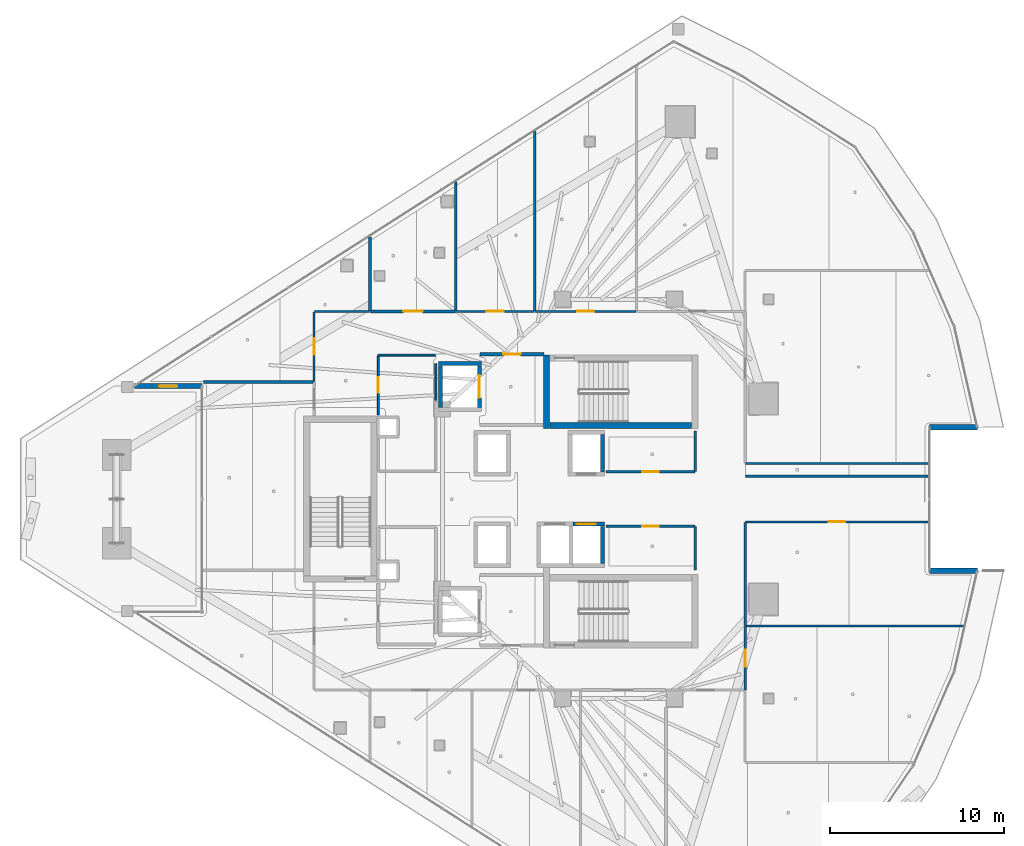
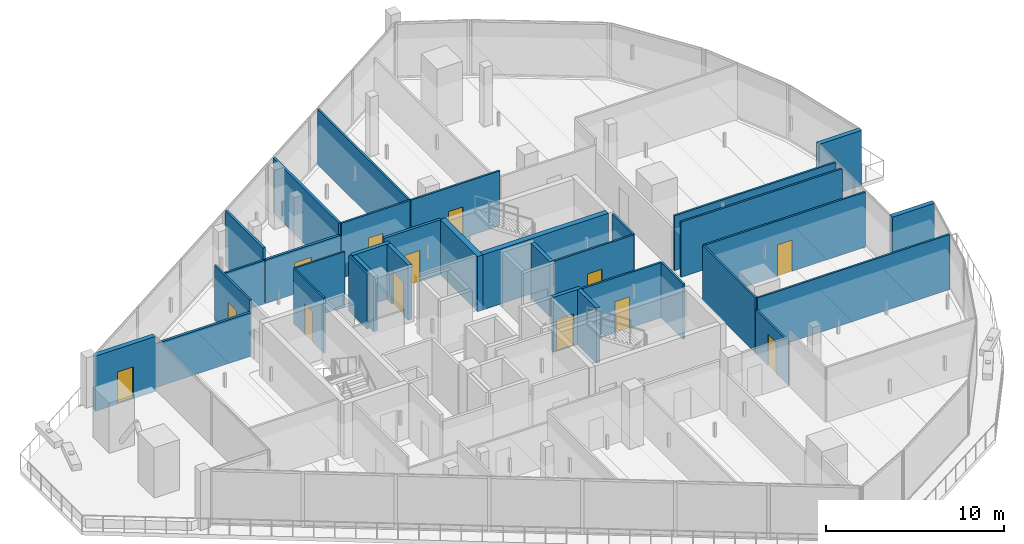
# One storey, part 22 of 32: 34 walls, 13 doors, 13 openings.
"""IFC4 building model written with IfcOpenShell, lengths in metres."""

import ifcopenshell
import ifcopenshell.guid

model = None  # the IFC model being written
_history = None  # IfcOwnerHistory: only IFC2X3 demands one
_inside = {}  # id of a spatial element -> (the spatial element, [elements in it])
_under = {}  # id of a project, library or spatial element -> (it, [spatial elements below it])
_declared = {}  # id of a project -> (the project, [libraries it declares])
_typed = {}  # id of a type object -> (the type object, [elements of that type])
_made_of = {}  # id of a material, layer set ... -> (it, [elements and type objects made of it])


def new_model(schema):
    """Start an empty IFC model of exactly this schema.

    Asked for "IFC4X3", IfcOpenShell would pick the latest addendum, in which some entities
    have other attributes; the version numbers below select the first issue.
    IFC2X3 requires an IfcOwnerHistory on every rooted entity: one is made here for all.
    """
    global model, _history
    if schema == "IFC4X3":
        model = ifcopenshell.file(schema_version=(4, 3, 0, 0))
    else:
        model = ifcopenshell.file(schema=schema)
    _inside.clear()
    _under.clear()
    _declared.clear()
    _typed.clear()
    _made_of.clear()
    _history = None
    if model.schema == "IFC2X3":
        org = make("IfcOrganization", Name="unknown")
        user = make(
            "IfcPersonAndOrganization",
            ThePerson=make("IfcPerson", FamilyName="unknown"),
            TheOrganization=org,
        )
        app = make(
            "IfcApplication",
            ApplicationDeveloper=org,
            Version="unknown",
            ApplicationFullName="unknown",
            ApplicationIdentifier="unknown",
        )
        _history = make(
            "IfcOwnerHistory",
            OwningUser=user,
            OwningApplication=app,
            ChangeAction="ADDED",
            CreationDate=0,
        )
    return model


def make(cls, **values):
    """One entity of the class cls with the attributes given. An attribute that is None is left unset."""
    return model.create_entity(
        cls, **{name: value for name, value in values.items() if value is not None}
    )


def rooted(cls, **values):
    """An entity with a GlobalId (a new one), such as an element, a storey or a relation."""
    return make(cls, GlobalId=ifcopenshell.guid.new(), OwnerHistory=_history, **values)


def si_unit(unit_type, name, prefix=None):
    """IfcSIUnit, for example si_unit("LENGTHUNIT", "METRE", prefix="MILLI")."""
    return make("IfcSIUnit", UnitType=unit_type, Prefix=prefix, Name=name)


def assignment(units):
    """IfcUnitAssignment: the units of a project."""
    return None if units is None else make("IfcUnitAssignment", Units=units)


def point(xyz):
    """IfcCartesianPoint."""
    return None if xyz is None else make("IfcCartesianPoint", Coordinates=xyz)


def direction(xyz):
    """IfcDirection."""
    return None if xyz is None else make("IfcDirection", DirectionRatios=xyz)


def frame(location, z_axis=None, x_axis=None):
    """IfcAxis2Placement3D, a coordinate frame: its origin and axes. An axis left out is left unset."""
    return make(
        "IfcAxis2Placement3D",
        Location=point(location),
        Axis=direction(z_axis),
        RefDirection=direction(x_axis),
    )


def frame_2d(location, x_axis=None):
    """IfcAxis2Placement2D, a coordinate frame in the plane: its origin and x axis."""
    return make(
        "IfcAxis2Placement2D", Location=point(location), RefDirection=direction(x_axis)
    )


def origin():
    """The frame at (0, 0, 0) with its axes left unset."""
    return frame((0.0, 0.0, 0.0))


def place(relative_to, where):
    """IfcLocalPlacement: puts the frame where relative to a parent placement (None: the world)."""
    return make(
        "IfcLocalPlacement", PlacementRelTo=relative_to, RelativePlacement=where
    )


def context(
    kind, dimensions, precision=None, world=None, true_north=None, identifier=None
):
    """IfcGeometricRepresentationContext, for example the 3D "Model" context."""
    return make(
        "IfcGeometricRepresentationContext",
        ContextIdentifier=identifier,
        ContextType=kind,
        CoordinateSpaceDimension=dimensions,
        Precision=precision,
        WorldCoordinateSystem=world,
        TrueNorth=true_north,
    )


def subcontext(parent, identifier, kind, view, scale=None):
    """IfcGeometricRepresentationSubContext, for example "Body" below "Model"."""
    return make(
        "IfcGeometricRepresentationSubContext",
        ContextIdentifier=identifier,
        ContextType=kind,
        ParentContext=parent,
        TargetScale=scale,
        TargetView=view,
    )


def project(units=None, contexts=None):
    """IfcProject with its units and contexts."""
    return rooted(
        "IfcProject",
        Name="project",
        RepresentationContexts=contexts,
        UnitsInContext=assignment(units),
    )


def spatial(cls, under=None, at=None, **own):
    """A site, building, storey or space (cls), placed at a placement, below another one or the project."""
    s = rooted(cls, ObjectPlacement=at, **own)
    if under is not None:
        _under.setdefault(under.id(), (under, []))[1].append(s)
    return s


def profile(cls, at=None, kind="AREA", **sizes):
    """A parametric profile (cls). Its sizes go by their IFC names, for example OverallWidth=200.0."""
    return make(cls, ProfileType=kind, Position=at, **sizes)


def rectangle(**sizes):
    """IfcRectangleProfileDef."""
    return profile("IfcRectangleProfileDef", **sizes)


def extrude(swept, where, along, depth):
    """IfcExtrudedAreaSolid: the profile swept, set in the frame where, extruded along a direction by depth."""
    return make(
        "IfcExtrudedAreaSolid",
        SweptArea=swept,
        Position=where,
        ExtrudedDirection=direction(along),
        Depth=depth,
    )


def shape(context_of_items, identifier, shape_type, items):
    """IfcShapeRepresentation: the items that make up one representation, for example the "Body"."""
    return make(
        "IfcShapeRepresentation",
        ContextOfItems=context_of_items,
        RepresentationIdentifier=identifier,
        RepresentationType=shape_type,
        Items=items,
    )


def material(Name=None, Category=None):
    """IfcMaterial."""
    return make("IfcMaterial", Name=Name, Category=Category)


def layer(
    of_material, thickness, ventilated=None, Name=None, Category=None, Priority=None
):
    """IfcMaterialLayer: one layer of a wall or slab, of a material (None: an air gap)."""
    return make(
        "IfcMaterialLayer",
        Material=of_material,
        LayerThickness=thickness,
        IsVentilated=ventilated,
        Name=Name,
        Category=Category,
        Priority=Priority,
    )


def layer_set(layers, Name=None):
    """IfcMaterialLayerSet."""
    return make("IfcMaterialLayerSet", MaterialLayers=layers, LayerSetName=Name)


def made_of(thing, what):
    """Note that an element or type object is made of a material, layer set ...; save() writes the relation."""
    if what is not None:
        _made_of.setdefault(what.id(), (what, []))[1].append(thing)
    return thing


def type_object(cls, material=None, **own):
    """A type object (cls), such as IfcWallType, which elements share."""
    return made_of(rooted(cls, **own), material)


def element(
    cls,
    number,
    at=None,
    inside=None,
    cuts=None,
    type_object=None,
    material=None,
    context=None,
    identifier="Body",
    shape_type=None,
    held_by="IfcProductDefinitionShape",
    body=None,
    shapes=None,
    **own,
):
    """One element of the class cls, such as IfcWall. Its Tag is "e" and its number.

    at: its placement. inside: the storey or other place that contains it. cuts: it is an
    opening in that element (IfcRelVoidsElement). A single representation is given by context,
    identifier, shape_type and body (its items); several are given by shapes. held_by: the class
    of the entity that holds the representations. save() writes the other relations.
    """
    e = rooted(cls, Tag="e%d" % number, ObjectPlacement=at, **own)
    if body is not None:
        shapes = [shape(context, identifier, shape_type, body)]
    if shapes is not None:
        e.Representation = make(held_by, Representations=shapes)
    if inside is not None:
        _inside.setdefault(inside.id(), (inside, []))[1].append(e)
    if cuts is not None:
        rooted(
            "IfcRelVoidsElement", RelatingBuildingElement=cuts, RelatedOpeningElement=e
        )
    if type_object is not None:
        _typed.setdefault(type_object.id(), (type_object, []))[1].append(e)
    return made_of(e, material)


def fill(opening, filler):
    """IfcRelFillsElement: the door or window that sits in an opening."""
    return rooted(
        "IfcRelFillsElement",
        RelatingOpeningElement=opening,
        RelatedBuildingElement=filler,
    )


def aggregate(whole, parts):
    """IfcRelAggregates: a whole, such as a stair, and the parts it consists of."""
    return rooted("IfcRelAggregates", RelatingObject=whole, RelatedObjects=parts)


def save(model, path):
    """Write the relations noted so far, then the file.

    IfcRelAggregates (storeys below a building ...), IfcRelContainedInSpatialStructure (elements
    in a storey), IfcRelDefinesByType, IfcRelAssociatesMaterial and IfcRelDeclares: one each for
    every whole, place, type object, material and project.
    """
    for whole, parts in _under.values():
        aggregate(whole, parts)
    for where, things in _inside.values():
        rooted(
            "IfcRelContainedInSpatialStructure",
            RelatedElements=things,
            RelatingStructure=where,
        )
    for kind, things in _typed.values():
        rooted("IfcRelDefinesByType", RelatedObjects=things, RelatingType=kind)
    for what, things in _made_of.values():
        rooted("IfcRelAssociatesMaterial", RelatedObjects=things, RelatingMaterial=what)
    for by, libraries in _declared.values():
        rooted("IfcRelDeclares", RelatingContext=by, RelatedDefinitions=libraries)
    model.write(path)


model = new_model("IFC4")

# Units and contexts
model_context = context("Model", 3, precision=1e-05, world=origin(), true_north=direction((0.0, 1.0)))
body_context = subcontext(model_context, "Body", "Model", "MODEL_VIEW")
ifc_project = project(units=[si_unit("LENGTHUNIT", "METRE"), si_unit("AREAUNIT", "SQUARE_METRE"), si_unit("VOLUMEUNIT", "CUBIC_METRE"), si_unit("PLANEANGLEUNIT", "RADIAN"), si_unit("MASSUNIT", "GRAM", prefix="KILO")], contexts=[model_context])

# Site, building, storey
site_placement = place(None, origin())
site = spatial("IfcSite", under=ifc_project, at=site_placement, CompositionType="ELEMENT")
building_placement = place(site_placement, origin())
building = spatial("IfcBuilding", under=site, at=building_placement, Name="Qorvath Tower", CompositionType="ELEMENT")
storey_placement = place(building_placement, frame((0.0, 0.0, 233.39990234375)))
storey = spatial("IfcBuildingStorey", under=building, at=storey_placement, Name="L54", CompositionType="ELEMENT", Elevation=233.39990234375)

# Wall, opening, door
ifc_material_1 = material(Name="Gypsum shaftliner on steel studs", Category="steel")
ifc_layer_1 = layer(ifc_material_1, 0.179931640625)
ifc_layer_set_1 = layer_set([ifc_layer_1], Name="FW-LOBBY")
wall_type_1 = type_object("IfcWallType", Name="FW-LOBBY", PredefinedType="PARTITIONING", material=ifc_layer_set_1)
wall_1_placement = place(storey_placement, frame((-24.68408203125, 8.300048828125, 0.0), z_axis=(0.0, 0.0, 1.0), x_axis=(-1.0, 0.0, 0.0)))
wall_1 = element("IfcWall", 1, at=wall_1_placement, inside=storey, type_object=wall_type_1, Name="Interior Partition IW-T1-L54-002", PredefinedType="PARTITIONING", context=body_context, shape_type="SweptSolid", body=[
    extrude(rectangle(XDim=3.6708984375, YDim=0.179931640625, at=frame_2d((1.83544921875, 0.0))), origin(), (0.0, 0.0, 1.0), 3.780029296875),
])
opening_1_placement = place(wall_1_placement, frame((1.33544921875, 0.0, 0.0)))
opening_1 = element("IfcOpeningElement", 2, at=opening_1_placement, cuts=wall_1, Name="Opening D-T1-L54-19", PredefinedType="OPENING", context=body_context, shape_type="SweptSolid", body=[
    extrude(rectangle(XDim=1.0, YDim=2.14990234375, at=frame_2d((0.5, 1.074951171875))), frame((0.0, 0.10009765625, 0.0), z_axis=(0.0, -1.0, 0.0), x_axis=(1.0, 0.0, 0.0)), (0.0, 0.0, 1.0), 0.199951171875),
])
ifc_material_2 = material(Name="Painted galvanised hollow metal", Category="steel")
door_type_1 = type_object("IfcDoorType", Name="FD-60", OperationType="NOTDEFINED", PredefinedType="DOOR", material=ifc_material_2)
door_1_placement = place(opening_1_placement, origin())
door_1 = element("IfcDoor", 3, at=door_1_placement, inside=storey, type_object=door_type_1, Name="Lobby Fire Service Elevator North Door D-T1-L54-19", OperationType="SINGLE_SWING_RIGHT", OverallHeight=2.14990234375, OverallWidth=1.0, PredefinedType="DOOR", context=body_context, shape_type="SweptSolid", body=[
    extrude(rectangle(XDim=1.0, YDim=2.14990234375, at=frame_2d((0.5, 1.074951171875))), frame((0.0, 0.02490234375, 0.0), z_axis=(0.0, -1.0, 0.0), x_axis=(1.0, 0.0, 0.0)), (0.0, 0.0, 1.0), 0.050048828125),
])
fill(opening_1, door_1)

ifc_material_3 = material(Name="Double acoustic gypsum board on steel studs", Category="steel")
ifc_layer_2 = layer(ifc_material_3, 0.159912109375)
ifc_layer_set_2 = layer_set([ifc_layer_2], Name="IW-ACOUSTIC-160")
wall_type_2 = type_object("IfcWallType", Name="IW-ACOUSTIC-160", PredefinedType="PARTITIONING", material=ifc_layer_set_2)
wall_2_placement = place(storey_placement, frame((-34.625, 10.758056640625, 0.0), z_axis=(0.0, 0.0, 1.0), x_axis=(1.0, 0.0, 0.0)))
wall_2 = element("IfcWall", 4, at=wall_2_placement, inside=storey, type_object=wall_type_2, Name="Interior Partition IW-T1-L54-021", PredefinedType="PARTITIONING", context=body_context, shape_type="SweptSolid", body=[
    extrude(rectangle(XDim=4.861083984375, YDim=0.159912109375, at=frame_2d((2.4306640625, 0.0))), origin(), (0.0, 0.0, 1.0), 3.0),
])
opening_2_placement = place(wall_2_placement, frame((1.880615234375, 0.0, 0.0)))
opening_2 = element("IfcOpeningElement", 5, at=opening_2_placement, cuts=wall_2, Name="Opening D-T1-L54-05", PredefinedType="OPENING", context=body_context, shape_type="SweptSolid", body=[
    extrude(rectangle(XDim=1.10009765625, YDim=2.14990234375, at=frame_2d((0.550048828125, 1.074951171875))), frame((0.0, 0.08984375, 0.0), z_axis=(0.0, -1.0, 0.0), x_axis=(1.0, 0.0, 0.0)), (0.0, 0.0, 1.0), 0.179931640625),
])
ifc_material_4 = material(Name="Anodised aluminium acoustic framed glass", Category="aluminium")
door_type_2 = type_object("IfcDoorType", Name="D-03", OperationType="NOTDEFINED", PredefinedType="DOOR", material=ifc_material_4)
door_2_placement = place(opening_2_placement, origin())
door_2 = element("IfcDoor", 6, at=door_2_placement, inside=storey, type_object=door_type_2, Name="L54-01 Client Services Office Door D-T1-L54-05", OperationType="SINGLE_SWING_RIGHT", OverallHeight=2.14990234375, OverallWidth=1.10009765625, PredefinedType="DOOR", context=body_context, shape_type="SweptSolid", body=[
    extrude(rectangle(XDim=1.10009765625, YDim=2.14990234375, at=frame_2d((0.550048828125, 1.074951171875))), frame((0.0, 0.02490234375, 0.0), z_axis=(0.0, -1.0, 0.0), x_axis=(1.0, 0.0, 0.0)), (0.0, 0.0, 1.0), 0.050048828125),
])
fill(opening_2, door_2)

# Walls
wall_3_placement = place(storey_placement, frame((-29.73876953125, 10.783203125, 0.0), z_axis=(0.0, 0.0, 1.0), x_axis=(0.0, 1.0, 0.0)))
element("IfcWall", 7, at=wall_3_placement, inside=storey, type_object=wall_type_2, Name="Interior Partition IW-T1-L54-022", PredefinedType="PARTITIONING", context=body_context, shape_type="SweptSolid", body=[
    extrude(rectangle(XDim=7.388671875, YDim=0.159912109375, at=frame_2d((3.6943359375, 0.0))), origin(), (0.0, 0.0, 1.0), 3.780029296875),
])
wall_4_placement = place(storey_placement, frame((-34.64990234375, 15.032958984375, 0.0), z_axis=(0.0, 0.0, 1.0), x_axis=(0.0, -1.0, 0.0)))
element("IfcWall", 8, at=wall_4_placement, inside=storey, type_object=wall_type_2, Name="Interior Partition IW-T1-L54-023", PredefinedType="PARTITIONING", context=body_context, shape_type="SweptSolid", body=[
    extrude(rectangle(XDim=4.249755859375, YDim=0.159912109375, at=frame_2d((2.125, 0.0))), origin(), (0.0, 0.0, 1.0), 3.780029296875),
])
wall_5_placement = place(storey_placement, frame((-37.8828125, 6.716064453125, 0.0), z_axis=(0.0, 0.0, 1.0), x_axis=(-1.0, 0.0, 0.0)))
element("IfcWall", 9, at=wall_5_placement, inside=storey, type_object=wall_type_2, Name="Interior Partition IW-T1-L54-053", PredefinedType="PARTITIONING", context=body_context, shape_type="SweptSolid", body=[
    extrude(rectangle(XDim=6.307373046875, YDim=0.159912109375, at=frame_2d((3.15380859375, 0.0))), origin(), (0.0, 0.0, 1.0), 3.0),
])

# Wall, opening, door
ifc_material_5 = material(Name="Gypsum board on metal studs with mineral wool", Category="gypsum")
ifc_layer_3 = layer(ifc_material_5, 0.125)
ifc_layer_set_3 = layer_set([ifc_layer_3], Name="IW-PART-125")
wall_type_3 = type_object("IfcWallType", Name="IW-PART-125", PredefinedType="PARTITIONING", material=ifc_layer_set_3)
wall_6_placement = place(storey_placement, frame((-21.1337890625, 1.56005859375, 0.0), z_axis=(0.0, 0.0, 1.0), x_axis=(1.0, 0.0, 0.0)))
wall_6 = element("IfcWall", 10, at=wall_6_placement, inside=storey, type_object=wall_type_3, Name="Interior Partition IW-T1-L54-011", PredefinedType="PARTITIONING", context=body_context, shape_type="SweptSolid", body=[
    extrude(rectangle(XDim=5.10888671875, YDim=0.125, at=frame_2d((2.554443359375, 0.0))), origin(), (0.0, 0.0, 1.0), 3.780029296875),
])
opening_3_placement = place(wall_6_placement, frame((2.079345703125, 0.0, 0.0)))
opening_3 = element("IfcOpeningElement", 11, at=opening_3_placement, cuts=wall_6, Name="Opening D-T1-L54-02", PredefinedType="OPENING", context=body_context, shape_type="SweptSolid", body=[
    extrude(rectangle(XDim=0.949951171875, YDim=2.14990234375, at=frame_2d((0.47509765625, 1.074951171875))), frame((0.0, 0.072509765625, 0.0), z_axis=(0.0, -1.0, 0.0), x_axis=(1.0, 0.0, 0.0)), (0.0, 0.0, 1.0), 0.14501953125),
])
ifc_material_6 = material(Name="Solid-core American white oak veneer", Category="wood")
door_type_3 = type_object("IfcDoorType", Name="D-01", OperationType="NOTDEFINED", PredefinedType="DOOR", material=ifc_material_6)
door_3_placement = place(opening_3_placement, origin())
door_3 = element("IfcDoor", 12, at=door_3_placement, inside=storey, type_object=door_type_3, Name="L54-RCN North Quantitative Server Suite Door D-T1-L54-02", OperationType="SINGLE_SWING_LEFT", OverallHeight=2.14990234375, OverallWidth=0.949951171875, PredefinedType="DOOR", context=body_context, shape_type="SweptSolid", body=[
    extrude(rectangle(XDim=0.949951171875, YDim=2.14990234375, at=frame_2d((0.47509765625, 1.074951171875))), frame((0.0, 0.02490234375, 0.0), z_axis=(0.0, -1.0, 0.0), x_axis=(1.0, 0.0, 0.0)), (0.0, 0.0, 1.0), 0.050048828125),
])
fill(opening_3, door_3)

# Walls
wall_7_placement = place(storey_placement, frame((-16.0, 1.585205078125, 0.0), z_axis=(0.0, 0.0, 1.0), x_axis=(0.0, 1.0, 0.0)))
element("IfcWall", 13, at=wall_7_placement, inside=storey, type_object=wall_type_3, Name="Interior Partition IW-T1-L54-012", PredefinedType="PARTITIONING", context=body_context, shape_type="SweptSolid", body=[
    extrude(rectangle(XDim=2.30224609375, YDim=0.125, at=frame_2d((1.151123046875, 0.0))), origin(), (0.0, 0.0, 1.0), 3.780029296875),
])
wall_8_placement = place(storey_placement, frame((-16.0, -4.0751953125, 0.0), z_axis=(0.0, 0.0, 1.0), x_axis=(0.0, 1.0, 0.0)))
element("IfcWall", 14, at=wall_8_placement, inside=storey, type_object=wall_type_3, Name="Interior Partition IW-T1-L54-013", PredefinedType="PARTITIONING", context=body_context, shape_type="SweptSolid", body=[
    extrude(rectangle(XDim=2.489990234375, YDim=0.125, at=frame_2d((1.2451171875, 0.0))), origin(), (0.0, 0.0, 1.0), 3.780029296875),
])

# Wall, opening, door
wall_9_placement = place(storey_placement, frame((-16.02490234375, -1.56005859375, 0.0), z_axis=(0.0, 0.0, 1.0), x_axis=(-1.0, 0.0, 0.0)))
wall_9 = element("IfcWall", 15, at=wall_9_placement, inside=storey, type_object=wall_type_3, Name="Interior Partition IW-T1-L54-014", PredefinedType="PARTITIONING", context=body_context, shape_type="SweptSolid", body=[
    extrude(rectangle(XDim=5.10888671875, YDim=0.125, at=frame_2d((2.554443359375, 0.0))), origin(), (0.0, 0.0, 1.0), 3.780029296875),
])
opening_4_placement = place(wall_9_placement, frame((2.079345703125, 0.0, 0.0)))
opening_4 = element("IfcOpeningElement", 16, at=opening_4_placement, cuts=wall_9, Name="Opening D-T1-L54-03", PredefinedType="OPENING", context=body_context, shape_type="SweptSolid", body=[
    extrude(rectangle(XDim=0.949951171875, YDim=2.14990234375, at=frame_2d((0.47509765625, 1.074951171875))), frame((0.0, 0.072509765625, 0.0), z_axis=(0.0, -1.0, 0.0), x_axis=(1.0, 0.0, 0.0)), (0.0, 0.0, 1.0), 0.14501953125),
])
door_4_placement = place(opening_4_placement, origin())
door_4 = element("IfcDoor", 17, at=door_4_placement, inside=storey, type_object=door_type_3, Name="L54-RCS South Quantitative Server Suite Door D-T1-L54-03", OperationType="SINGLE_SWING_RIGHT", OverallHeight=2.14990234375, OverallWidth=0.949951171875, PredefinedType="DOOR", context=body_context, shape_type="SweptSolid", body=[
    extrude(rectangle(XDim=0.949951171875, YDim=2.14990234375, at=frame_2d((0.47509765625, 1.074951171875))), frame((0.0, 0.02490234375, 0.0), z_axis=(0.0, -1.0, 0.0), x_axis=(1.0, 0.0, 0.0)), (0.0, 0.0, 1.0), 0.050048828125),
])
fill(opening_4, door_4)

wall_10_placement = place(storey_placement, frame((-29.7060546875, 10.758056640625, 0.0), z_axis=(0.0, 0.0, 1.0), x_axis=(1.0, 0.0, 0.0)))
wall_10 = element("IfcWall", 18, at=wall_10_placement, inside=storey, type_object=wall_type_3, Name="Interior Partition IW-T1-L54-024", PredefinedType="PARTITIONING", context=body_context, shape_type="SweptSolid", body=[
    extrude(rectangle(XDim=4.46826171875, YDim=0.125, at=frame_2d((2.234130859375, 0.0))), origin(), (0.0, 0.0, 1.0), 3.780029296875),
])
opening_5_placement = place(wall_10_placement, frame((1.759033203125, 0.0, 0.0)))
opening_5 = element("IfcOpeningElement", 19, at=opening_5_placement, cuts=wall_10, Name="Opening D-T1-L54-06", PredefinedType="OPENING", context=body_context, shape_type="SweptSolid", body=[
    extrude(rectangle(XDim=0.949951171875, YDim=2.14990234375, at=frame_2d((0.47509765625, 1.074951171875))), frame((0.0, 0.072509765625, 0.0), z_axis=(0.0, -1.0, 0.0), x_axis=(1.0, 0.0, 0.0)), (0.0, 0.0, 1.0), 0.14501953125),
])
door_5_placement = place(opening_5_placement, origin())
door_5 = element("IfcDoor", 20, at=door_5_placement, inside=storey, type_object=door_type_3, Name="L54-02 Project Collaboration Workspace Door D-T1-L54-06", OperationType="SINGLE_SWING_LEFT", OverallHeight=2.14990234375, OverallWidth=0.949951171875, PredefinedType="DOOR", context=body_context, shape_type="SweptSolid", body=[
    extrude(rectangle(XDim=0.949951171875, YDim=2.14990234375, at=frame_2d((0.47509765625, 1.074951171875))), frame((0.0, 0.02490234375, 0.0), z_axis=(0.0, -1.0, 0.0), x_axis=(1.0, 0.0, 0.0)), (0.0, 0.0, 1.0), 0.050048828125),
])
fill(opening_5, door_5)

# Wall
wall_11_placement = place(storey_placement, frame((-25.212890625, 10.783203125, 0.0), z_axis=(0.0, 0.0, 1.0), x_axis=(0.0, 1.0, 0.0)))
element("IfcWall", 21, at=wall_11_placement, inside=storey, type_object=wall_type_3, Name="Interior Partition IW-T1-L54-025", PredefinedType="PARTITIONING", context=body_context, shape_type="SweptSolid", body=[
    extrude(rectangle(XDim=10.28125, YDim=0.125, at=frame_2d((5.140625, 0.0))), origin(), (0.0, 0.0, 1.0), 3.780029296875),
])

# Wall, opening, door
wall_12_placement = place(storey_placement, frame((-25.1796875, 10.758056640625, 0.0), z_axis=(0.0, 0.0, 1.0), x_axis=(1.0, 0.0, 0.0)))
wall_12 = element("IfcWall", 22, at=wall_12_placement, inside=storey, type_object=wall_type_3, Name="Interior Partition IW-T1-L54-026", PredefinedType="PARTITIONING", context=body_context, shape_type="SweptSolid", body=[
    extrude(rectangle(XDim=5.78076171875, YDim=0.125, at=frame_2d((2.890380859375, 0.0))), origin(), (0.0, 0.0, 1.0), 3.780029296875),
])
opening_6_placement = place(wall_12_placement, frame((2.415283203125, 0.0, 0.0)))
opening_6 = element("IfcOpeningElement", 23, at=opening_6_placement, cuts=wall_12, Name="Opening D-T1-L54-07", PredefinedType="OPENING", context=body_context, shape_type="SweptSolid", body=[
    extrude(rectangle(XDim=0.949951171875, YDim=2.14990234375, at=frame_2d((0.47509765625, 1.074951171875))), frame((0.0, 0.072509765625, 0.0), z_axis=(0.0, -1.0, 0.0), x_axis=(1.0, 0.0, 0.0)), (0.0, 0.0, 1.0), 0.14501953125),
])
door_6_placement = place(opening_6_placement, origin())
door_6 = element("IfcDoor", 24, at=door_6_placement, inside=storey, type_object=door_type_3, Name="L54-03 Staff Wellness Studio Door D-T1-L54-07", OperationType="SINGLE_SWING_RIGHT", OverallHeight=2.14990234375, OverallWidth=0.949951171875, PredefinedType="DOOR", context=body_context, shape_type="SweptSolid", body=[
    extrude(rectangle(XDim=0.949951171875, YDim=2.14990234375, at=frame_2d((0.47509765625, 1.074951171875))), frame((0.0, 0.02490234375, 0.0), z_axis=(0.0, -1.0, 0.0), x_axis=(1.0, 0.0, 0.0)), (0.0, 0.0, 1.0), 0.050048828125),
])
fill(opening_6, door_6)

# Wall
wall_13_placement = place(storey_placement, frame((-0.63232421875, -7.276611328125, 0.0), z_axis=(0.0, 0.0, 1.0), x_axis=(-1.0, 0.0, 0.0)))
element("IfcWall", 25, at=wall_13_placement, inside=storey, type_object=wall_type_3, Name="Interior Partition IW-T1-L54-042", PredefinedType="PARTITIONING", context=body_context, shape_type="SweptSolid", body=[
    extrude(rectangle(XDim=12.48486328125, YDim=0.125, at=frame_2d((6.242431640625, 0.0))), origin(), (0.0, 0.0, 1.0), 3.780029296875),
])

# Wall, opening, door
wall_14_placement = place(storey_placement, frame((-13.14208984375, -7.301513671875, 0.0), z_axis=(0.0, 0.0, 1.0), x_axis=(0.0, -1.0, 0.0)))
wall_14 = element("IfcWall", 26, at=wall_14_placement, inside=storey, type_object=wall_type_3, Name="Interior Partition IW-T1-L54-043", PredefinedType="PARTITIONING", context=body_context, shape_type="SweptSolid", body=[
    extrude(rectangle(XDim=3.656494140625, YDim=0.125, at=frame_2d((1.828125, 0.0))), origin(), (0.0, 0.0, 1.0), 3.0),
])
opening_7_placement = place(wall_14_placement, frame((1.353271484375, 0.0, 0.0)))
opening_7 = element("IfcOpeningElement", 27, at=opening_7_placement, cuts=wall_14, Name="Opening D-T1-L54-13", PredefinedType="OPENING", context=body_context, shape_type="SweptSolid", body=[
    extrude(rectangle(XDim=0.949951171875, YDim=2.14990234375, at=frame_2d((0.47509765625, 1.074951171875))), frame((0.0, 0.072509765625, 0.0), z_axis=(0.0, -1.0, 0.0), x_axis=(1.0, 0.0, 0.0)), (0.0, 0.0, 1.0), 0.14501953125),
])
door_7_placement = place(opening_7_placement, origin())
door_7 = element("IfcDoor", 28, at=door_7_placement, inside=storey, type_object=door_type_3, Name="L54-09 Engineering Documentation Suite Door D-T1-L54-13", OperationType="SINGLE_SWING_RIGHT", OverallHeight=2.14990234375, OverallWidth=0.949951171875, PredefinedType="DOOR", context=body_context, shape_type="SweptSolid", body=[
    extrude(rectangle(XDim=0.949951171875, YDim=2.14990234375, at=frame_2d((0.47509765625, 1.074951171875))), frame((0.0, 0.02490234375, 0.0), z_axis=(0.0, -1.0, 0.0), x_axis=(1.0, 0.0, 0.0)), (0.0, 0.0, 1.0), 0.050048828125),
])
fill(opening_7, door_7)

# Walls
for number, where, z_axis, x_axis, name in (
    (29, (-2.655517578125, 2.0380859375, 0.0), (0.0, 0.0, 1.0), (-1.0, 0.0, 0.0), "Interior Partition IW-T1-L54-044"),
    (30, (-2.655517578125, 1.30810546875, 0.0), (0.0, 0.0, 1.0), (-1.0, 0.0, 0.0), "Interior Partition IW-T1-L54-045"),
):
    element("IfcWall", number, at=place(storey_placement, frame(where, z_axis=z_axis, x_axis=x_axis)), inside=storey, type_object=wall_type_3, Name=name, PredefinedType="PARTITIONING", context=body_context, shape_type="SweptSolid", body=[
        extrude(rectangle(XDim=10.461669921875, YDim=0.125, at=frame_2d((5.23095703125, 0.0))), origin(), (0.0, 0.0, 1.0), 3.780029296875),
    ])

# Wall, opening, door
wall_15_placement = place(storey_placement, frame((-2.655517578125, -1.30810546875, 0.0), z_axis=(0.0, 0.0, 1.0), x_axis=(-1.0, 0.0, 0.0)))
wall_15 = element("IfcWall", 31, at=wall_15_placement, inside=storey, type_object=wall_type_3, Name="Interior Partition IW-T1-L54-046", PredefinedType="PARTITIONING", context=body_context, shape_type="SweptSolid", body=[
    extrude(rectangle(XDim=10.461669921875, YDim=0.125, at=frame_2d((5.23095703125, 0.0))), origin(), (0.0, 0.0, 1.0), 3.780029296875),
])
opening_8_placement = place(wall_15_placement, frame((4.755859375, 0.0, 0.0)))
opening_8 = element("IfcOpeningElement", 32, at=opening_8_placement, cuts=wall_15, Name="Opening D-T1-L54-14", PredefinedType="OPENING", context=body_context, shape_type="SweptSolid", body=[
    extrude(rectangle(XDim=0.949951171875, YDim=2.14990234375, at=frame_2d((0.47509765625, 1.074951171875))), frame((0.0, 0.072509765625, 0.0), z_axis=(0.0, -1.0, 0.0), x_axis=(1.0, 0.0, 0.0)), (0.0, 0.0, 1.0), 0.14501953125),
])
door_8_placement = place(opening_8_placement, origin())
door_8 = element("IfcDoor", 33, at=door_8_placement, inside=storey, type_object=door_type_3, Name="L54-10 Open Workplace Studio Door D-T1-L54-14", OperationType="SINGLE_SWING_LEFT", OverallHeight=2.14990234375, OverallWidth=0.949951171875, PredefinedType="DOOR", context=body_context, shape_type="SweptSolid", body=[
    extrude(rectangle(XDim=0.949951171875, YDim=2.14990234375, at=frame_2d((0.47509765625, 1.074951171875))), frame((0.0, 0.02490234375, 0.0), z_axis=(0.0, -1.0, 0.0), x_axis=(1.0, 0.0, 0.0)), (0.0, 0.0, 1.0), 0.050048828125),
])
fill(opening_8, door_8)

# Walls
wall_16_placement = place(storey_placement, frame((-13.14208984375, -1.3330078125, 0.0), z_axis=(0.0, 0.0, 1.0), x_axis=(0.0, -1.0, 0.0)))
element("IfcWall", 34, at=wall_16_placement, inside=storey, type_object=wall_type_3, Name="Interior Partition IW-T1-L54-047", PredefinedType="PARTITIONING", context=body_context, shape_type="SweptSolid", body=[
    extrude(rectangle(XDim=5.91064453125, YDim=0.125, at=frame_2d((2.955322265625, 0.0))), origin(), (0.0, 0.0, 1.0), 3.780029296875),
])
wall_17_placement = place(storey_placement, frame((-34.68310546875, 10.758056640625, 0.0), z_axis=(0.0, 0.0, 1.0), x_axis=(-1.0, 0.0, 0.0)))
element("IfcWall", 35, at=wall_17_placement, inside=storey, type_object=wall_type_3, Name="Interior Partition IW-T1-L54-054", PredefinedType="PARTITIONING", context=body_context, shape_type="SweptSolid", body=[
    extrude(rectangle(XDim=3.14990234375, YDim=0.125, at=frame_2d((1.574951171875, 0.0))), origin(), (0.0, 0.0, 1.0), 3.0),
])

# Wall, opening, door
wall_18_placement = place(storey_placement, frame((-37.85791015625, 6.7490234375, 0.0), z_axis=(0.0, 0.0, 1.0), x_axis=(0.0, 1.0, 0.0)))
wall_18 = element("IfcWall", 36, at=wall_18_placement, inside=storey, type_object=wall_type_3, Name="Interior Partition IW-T1-L54-055", PredefinedType="PARTITIONING", context=body_context, shape_type="SweptSolid", body=[
    extrude(rectangle(XDim=3.984130859375, YDim=0.125, at=frame_2d((1.9921875, 0.0))), origin(), (0.0, 0.0, 1.0), 3.780029296875),
])
opening_9_placement = place(wall_18_placement, frame((1.51708984375, 0.0, 0.0)))
opening_9 = element("IfcOpeningElement", 37, at=opening_9_placement, cuts=wall_18, Name="Opening D-T1-L54-18", PredefinedType="OPENING", context=body_context, shape_type="SweptSolid", body=[
    extrude(rectangle(XDim=0.949951171875, YDim=2.14990234375, at=frame_2d((0.47509765625, 1.074951171875))), frame((0.0, 0.072509765625, 0.0), z_axis=(0.0, -1.0, 0.0), x_axis=(1.0, 0.0, 0.0)), (0.0, 0.0, 1.0), 0.14501953125),
])
door_9_placement = place(opening_9_placement, origin())
door_9 = element("IfcDoor", 38, at=door_9_placement, inside=storey, type_object=door_type_3, Name="L54-14 Project Collaboration Workspace Door D-T1-L54-18", OperationType="SINGLE_SWING_LEFT", OverallHeight=2.14990234375, OverallWidth=0.949951171875, PredefinedType="DOOR", context=body_context, shape_type="SweptSolid", body=[
    extrude(rectangle(XDim=0.949951171875, YDim=2.14990234375, at=frame_2d((0.47509765625, 1.074951171875))), frame((0.0, 0.02490234375, 0.0), z_axis=(0.0, -1.0, 0.0), x_axis=(1.0, 0.0, 0.0)), (0.0, 0.0, 1.0), 0.050048828125),
])
fill(opening_9, door_9)

# Walls
ifc_material_7 = material(Name="Moisture-resistant cement board on metal studs", Category="gypsum")
ifc_layer_4 = layer(ifc_material_7, 0.110107421875)
ifc_layer_set_4 = layer_set([ifc_layer_4], Name="IW-WC-110")
wall_type_4 = type_object("IfcWallType", Name="IW-WC-110", PredefinedType="PARTITIONING", material=ifc_layer_set_4)
wall_19_placement = place(storey_placement, frame((-30.8798828125, 5.6650390625, 0.0), z_axis=(0.0, 0.0, 1.0), x_axis=(0.0, 1.0, 0.0)))
element("IfcWall", 39, at=wall_19_placement, inside=storey, type_object=wall_type_4, Name="Interior Partition IW-T1-L54-007", PredefinedType="PARTITIONING", context=body_context, shape_type="SweptSolid", body=[
    extrude(rectangle(XDim=2.077880859375, YDim=0.110107421875, at=frame_2d((1.0390625, 0.0))), origin(), (0.0, 0.0, 1.0), 3.780029296875),
])
wall_20_placement = place(storey_placement, frame((-30.90478515625, 8.25, 0.0), z_axis=(0.0, 0.0, 1.0), x_axis=(-1.0, 0.0, 0.0)))
element("IfcWall", 40, at=wall_20_placement, inside=storey, type_object=wall_type_4, Name="Interior Partition IW-T1-L54-008", PredefinedType="PARTITIONING", context=body_context, shape_type="SweptSolid", body=[
    extrude(rectangle(XDim=3.25, YDim=0.110107421875, at=frame_2d((1.625, 0.0))), origin(), (0.0, 0.0, 1.0), 3.780029296875),
])

# Wall, opening, door
wall_21_placement = place(storey_placement, frame((-34.179931640625, 8.22509765625, 0.0), z_axis=(0.0, 0.0, 1.0), x_axis=(0.0, -1.0, 0.0)))
wall_21 = element("IfcWall", 41, at=wall_21_placement, inside=storey, type_object=wall_type_4, Name="Interior Partition IW-T1-L54-009", PredefinedType="PARTITIONING", context=body_context, shape_type="SweptSolid", body=[
    extrude(rectangle(XDim=3.385009765625, YDim=0.110107421875, at=frame_2d((1.6923828125, 0.0))), origin(), (0.0, 0.0, 1.0), 3.780029296875),
])
opening_10_placement = place(wall_21_placement, frame((1.25244140625, 0.0, 0.0)))
opening_10 = element("IfcOpeningElement", 42, at=opening_10_placement, cuts=wall_21, Name="Opening D-T1-L54-01", PredefinedType="OPENING", context=body_context, shape_type="SweptSolid", body=[
    extrude(rectangle(XDim=0.8798828125, YDim=2.10009765625, at=frame_2d((0.43994140625, 1.050048828125))), frame((0.0, 0.06494140625, 0.0), z_axis=(0.0, -1.0, 0.0), x_axis=(1.0, 0.0, 0.0)), (0.0, 0.0, 1.0), 0.130126953125),
])
ifc_material_8 = material(Name="Solid-core oak with acoustic drop seal", Category="wood")
door_type_4 = type_object("IfcDoorType", Name="D-02", OperationType="NOTDEFINED", PredefinedType="DOOR", material=ifc_material_8)
door_10_placement = place(opening_10_placement, origin())
door_10 = element("IfcDoor", 43, at=door_10_placement, inside=storey, type_object=door_type_4, Name="Accessible WC North L54 Door D-T1-L54-01", OperationType="SINGLE_SWING_RIGHT", OverallHeight=2.10009765625, OverallWidth=0.8798828125, PredefinedType="DOOR", context=body_context, shape_type="SweptSolid", body=[
    extrude(rectangle(XDim=0.8798828125, YDim=2.10009765625, at=frame_2d((0.43994140625, 1.050048828125))), frame((0.0, 0.02490234375, 0.0), z_axis=(0.0, -1.0, 0.0), x_axis=(1.0, 0.0, 0.0)), (0.0, 0.0, 1.0), 0.050048828125),
])
fill(opening_10, door_10)

# Walls
ifc_material_9 = material(Name="Concrete C60/75", Category="concrete")
ifc_layer_5 = layer(ifc_material_9, 0.260009765625)
ifc_layer_set_5 = layer_set([ifc_layer_5], Name="SW-SHAFT")
wall_type_5 = type_object("IfcWallType", Name="SW-SHAFT", PredefinedType="SHEAR", material=ifc_layer_set_5)
wall_22_placement = place(storey_placement, frame((-30.739990234375, 7.77001953125, 0.0), z_axis=(0.0, 0.0, 1.0), x_axis=(1.0, 0.0, 0.0)))
element("IfcWall", 44, at=wall_22_placement, inside=storey, type_object=wall_type_5, Name="Hoistway Wall FSAE-1 L54 N", PredefinedType="SHEAR", context=body_context, shape_type="SweptSolid", body=[
    extrude(rectangle(XDim=2.47998046875, YDim=0.239990234375, at=frame_2d((1.239990234375, 0.0))), origin(), (0.0, 0.0, 1.0), 3.780029296875),
])
wall_23_placement = place(storey_placement, frame((-30.6201171875, 5.261962890625, 0.0), z_axis=(0.0, 0.0, 1.0), x_axis=(0.0, 1.0, 0.0)))
element("IfcWall", 45, at=wall_23_placement, inside=storey, type_object=wall_type_5, Name="Hoistway Wall FSAE-1 L54 W", PredefinedType="SHEAR", context=body_context, shape_type="SweptSolid", body=[
    extrude(rectangle(XDim=2.3759765625, YDim=0.239990234375, at=frame_2d((1.18798828125, 0.0))), origin(), (0.0, 0.0, 1.0), 3.780029296875),
])

# Wall, opening, door
wall_24_placement = place(storey_placement, frame((-28.3798828125, 7.637939453125, 0.0), z_axis=(0.0, 0.0, 1.0), x_axis=(0.0, -1.0, 0.0)))
wall_24 = element("IfcWall", 46, at=wall_24_placement, inside=storey, type_object=wall_type_5, Name="Hoistway Wall FSAE-1 L54 E", PredefinedType="SHEAR", context=body_context, shape_type="SweptSolid", body=[
    extrude(rectangle(XDim=2.3759765625, YDim=0.239990234375, at=frame_2d((1.18798828125, 0.0))), origin(), (0.0, 0.0, 1.0), 3.780029296875),
])
opening_11_placement = place(wall_24_placement, frame((0.537841796875, 0.0, 0.0)))
opening_11 = element("IfcOpeningElement", 47, at=opening_11_placement, cuts=wall_24, Name="Opening LD-FSAE-1-L54", PredefinedType="OPENING", context=body_context, shape_type="SweptSolid", body=[
    extrude(rectangle(XDim=1.300048828125, YDim=2.300048828125, at=frame_2d((0.64990234375, 1.14990234375))), frame((0.0, 0.1298828125, 0.0), z_axis=(0.0, -1.0, 0.0), x_axis=(1.0, 0.0, 0.0)), (0.0, 0.0, 1.0), 0.260009765625),
])
ifc_material_10 = material(Name="Brushed stainless steel AISI 316", Category="steel")
door_type_5 = type_object("IfcDoorType", Name="LD-02", OperationType="NOTDEFINED", PredefinedType="DOOR", material=ifc_material_10)
door_11_placement = place(opening_11_placement, origin())
door_11 = element("IfcDoor", 48, at=door_11_placement, inside=storey, type_object=door_type_5, Name="Elevator Landing Sliding Door LD-FSAE-1-L54", OperationType="DOUBLE_DOOR_SLIDING", OverallHeight=2.300048828125, OverallWidth=1.300048828125, PredefinedType="DOOR", context=body_context, shape_type="SweptSolid", body=[
    extrude(rectangle(XDim=1.300048828125, YDim=2.300048828125, at=frame_2d((0.64990234375, 1.14990234375))), frame((0.0, 0.02490234375, 0.0), z_axis=(0.0, -1.0, 0.0), x_axis=(1.0, 0.0, 0.0)), (0.0, 0.0, 1.0), 0.050048828125),
])
fill(opening_11, door_11)

# Wall
wall_25_placement = place(storey_placement, frame((-21.330078125, 3.68798828125, 0.0), z_axis=(0.0, 0.0, 1.0), x_axis=(0.0, -1.0, 0.0)))
element("IfcWall", 49, at=wall_25_placement, inside=storey, type_object=wall_type_5, Name="Hoistway Wall PU-1 L54 E", PredefinedType="SHEAR", context=body_context, shape_type="SweptSolid", body=[
    extrude(rectangle(XDim=2.1259765625, YDim=0.239990234375, at=frame_2d((1.06298828125, 0.0))), origin(), (0.0, 0.0, 1.0), 3.780029296875),
])

# Wall, opening, door
wall_26_placement = place(storey_placement, frame((-23.010009765625, -1.429931640625, 0.0), z_axis=(0.0, 0.0, 1.0), x_axis=(1.0, 0.0, 0.0)))
wall_26 = element("IfcWall", 50, at=wall_26_placement, inside=storey, type_object=wall_type_5, Name="Hoistway Wall PU-3 L54 N", PredefinedType="SHEAR", context=body_context, shape_type="SweptSolid", body=[
    extrude(rectangle(XDim=1.800048828125, YDim=0.239990234375, at=frame_2d((0.89990234375, 0.0))), origin(), (0.0, 0.0, 1.0), 3.780029296875),
])
opening_12_placement = place(wall_26_placement, frame((0.2099609375, 0.0, 0.0)))
opening_12 = element("IfcOpeningElement", 51, at=opening_12_placement, cuts=wall_26, Name="Opening LD-PU-3-L54", PredefinedType="OPENING", context=body_context, shape_type="SweptSolid", body=[
    extrude(rectangle(XDim=1.10009765625, YDim=2.199951171875, at=frame_2d((0.550048828125, 1.10009765625))), frame((0.0, 0.1298828125, 0.0), z_axis=(0.0, -1.0, 0.0), x_axis=(1.0, 0.0, 0.0)), (0.0, 0.0, 1.0), 0.260009765625),
])
ifc_material_11 = material(Name="Brushed stainless steel AISI 316", Category="steel")
door_type_6 = type_object("IfcDoorType", Name="LD-01", OperationType="NOTDEFINED", PredefinedType="DOOR", material=ifc_material_11)
door_12_placement = place(opening_12_placement, origin())
door_12 = element("IfcDoor", 52, at=door_12_placement, inside=storey, type_object=door_type_6, Name="Elevator Landing Sliding Door LD-PU-3-L54", OperationType="DOUBLE_DOOR_SLIDING", OverallHeight=2.199951171875, OverallWidth=1.10009765625, PredefinedType="DOOR", context=body_context, shape_type="SweptSolid", body=[
    extrude(rectangle(XDim=1.10009765625, YDim=2.199951171875, at=frame_2d((0.550048828125, 1.10009765625))), frame((0.0, 0.02490234375, 0.0), z_axis=(0.0, -1.0, 0.0), x_axis=(1.0, 0.0, 0.0)), (0.0, 0.0, 1.0), 0.050048828125),
])
fill(opening_12, door_12)

# Walls
wall_27_placement = place(storey_placement, frame((-21.330078125, -1.56201171875, 0.0), z_axis=(0.0, 0.0, 1.0), x_axis=(0.0, -1.0, 0.0)))
element("IfcWall", 53, at=wall_27_placement, inside=storey, type_object=wall_type_5, Name="Hoistway Wall PU-3 L54 E", PredefinedType="SHEAR", context=body_context, shape_type="SweptSolid", body=[
    extrude(rectangle(XDim=2.1259765625, YDim=0.239990234375, at=frame_2d((1.06298828125, 0.0))), origin(), (0.0, 0.0, 1.0), 3.780029296875),
])
ifc_material_12 = material(Name="Concrete C60/75", Category="concrete")
ifc_layer_6 = layer(ifc_material_12, 0.35009765625)
ifc_layer_set_6 = layer_set([ifc_layer_6], Name="SW-STAIR")
wall_type_6 = type_object("IfcWallType", Name="SW-STAIR", PredefinedType="SHEAR", material=ifc_layer_set_6)
wall_28_placement = place(storey_placement, frame((-24.52490234375, 8.260009765625, 0.0), z_axis=(0.0, 0.0, 1.0), x_axis=(0.0, -1.0, 0.0)))
element("IfcWall", 54, at=wall_28_placement, inside=storey, type_object=wall_type_6, Name="Stair TS1 Shear Wall L54 NEAR", PredefinedType="SHEAR", context=body_context, shape_type="SweptSolid", body=[
    extrude(rectangle(XDim=4.2099609375, YDim=0.35009765625, at=frame_2d((2.10498046875, 0.0))), origin(), (0.0, 0.0, 1.0), 3.780029296875),
])
wall_29_placement = place(storey_placement, frame((-24.3349609375, 4.22509765625, 0.0), z_axis=(0.0, 0.0, 1.0), x_axis=(1.0, 0.0, 0.0)))
element("IfcWall", 55, at=wall_29_placement, inside=storey, type_object=wall_type_6, Name="Stair TS1 Shear Wall L54 LEFT", PredefinedType="SHEAR", context=body_context, shape_type="SweptSolid", body=[
    extrude(rectangle(XDim=8.119873046875, YDim=0.35009765625, at=frame_2d((4.06005859375, 0.0))), origin(), (0.0, 0.0, 1.0), 3.780029296875),
])

# Wall, opening, door
ifc_material_13 = material(Name="Precast concrete C45/55", Category="concrete")
ifc_layer_7 = layer(ifc_material_13, 0.300048828125)
ifc_layer_set_7 = layer_set([ifc_layer_7], Name="WL-EW-LOG-300")
wall_type_7 = type_object("IfcWallType", Name="WL-EW-LOG-300", PredefinedType="SOLIDWALL", material=ifc_layer_set_7)
wall_30_placement = place(storey_placement, frame((-48.161865234375, 6.47705078125, 0.0), z_axis=(0.0, 0.0, 1.0), x_axis=(1.0, 0.0, 0.0)))
wall_30 = element("IfcWall", 56, at=wall_30_placement, inside=storey, type_object=wall_type_7, Name="Tower Precast Loggia Wall L54-1.1", PredefinedType="SOLIDWALL", context=body_context, shape_type="SweptSolid", body=[
    extrude(rectangle(XDim=3.873779296875, YDim=0.300048828125, at=frame_2d((1.93701171875, 0.0))), origin(), (0.0, 0.0, 1.0), 3.780029296875),
])
opening_13_placement = place(wall_30_placement, frame((1.411865234375, 0.0, 0.0)))
opening_13 = element("IfcOpeningElement", 57, at=opening_13_placement, cuts=wall_30, Name="Opening ED-L54-01", PredefinedType="OPENING", context=body_context, shape_type="SweptSolid", body=[
    extrude(rectangle(XDim=1.050048828125, YDim=2.199951171875, at=frame_2d((0.52490234375, 1.10009765625))), frame((0.0, 0.16015625, 0.0), z_axis=(0.0, -1.0, 0.0), x_axis=(1.0, 0.0, 0.0)), (0.0, 0.0, 1.0), 0.320068359375),
])
ifc_material_14 = material(Name="Thermally broken aluminium glazed door", Category="aluminium")
door_type_7 = type_object("IfcDoorType", Name="ED-LOG", OperationType="NOTDEFINED", PredefinedType="DOOR", material=ifc_material_14)
door_13_placement = place(opening_13_placement, origin())
door_13 = element("IfcDoor", 58, at=door_13_placement, inside=storey, type_object=door_type_7, Name="L54 Recessed Loggia Access Door 1", OperationType="SINGLE_SWING_LEFT", OverallHeight=2.199951171875, OverallWidth=1.050048828125, PredefinedType="DOOR", context=body_context, shape_type="SweptSolid", body=[
    extrude(rectangle(XDim=1.050048828125, YDim=2.199951171875, at=frame_2d((0.52490234375, 1.10009765625))), frame((0.0, 0.02490234375, 0.0), z_axis=(0.0, -1.0, 0.0), x_axis=(1.0, 0.0, 0.0)), (0.0, 0.0, 1.0), 0.050048828125),
])
fill(opening_13, door_13)

# Walls
for number, where, z_axis, x_axis, name in (
    (59, (0.167724609375, -4.11474609375, 0.0), (0.0, 0.0, 1.0), (-1.0, 0.0, 0.0), "Tower Precast Loggia Wall L54-10.1"),
    (60, (-2.575439453125, 4.11474609375, 0.0), (0.0, 0.0, 1.0), (1.0, 0.0, 0.0), "Tower Precast Loggia Wall L54-12.1"),
):
    element("IfcWall", number, at=place(storey_placement, frame(where, z_axis=z_axis, x_axis=x_axis)), inside=storey, type_object=wall_type_7, Name=name, PredefinedType="SOLIDWALL", context=body_context, shape_type="SweptSolid", body=[
        extrude(rectangle(XDim=2.7431640625, YDim=0.300048828125, at=frame_2d((1.37158203125, 0.0))), origin(), (0.0, 0.0, 1.0), 3.780029296875),
    ])

save(model, "model.ifc")
